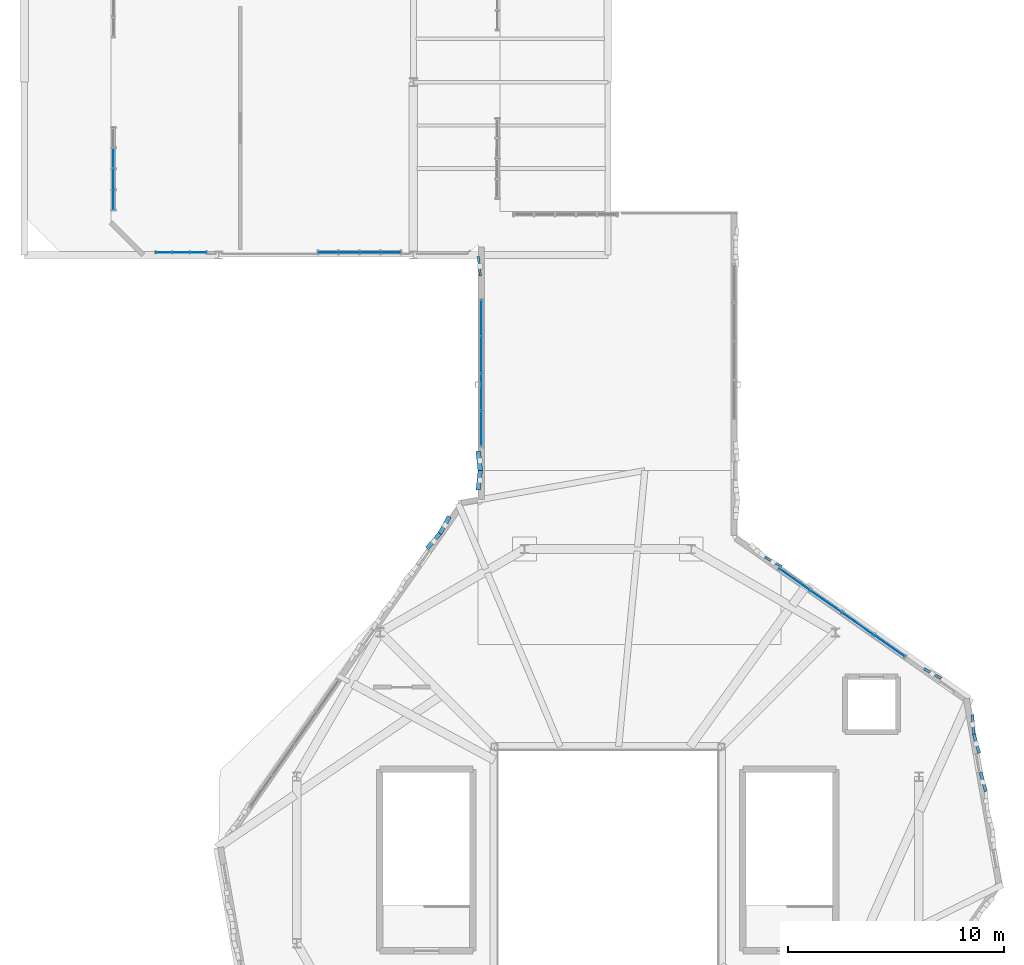
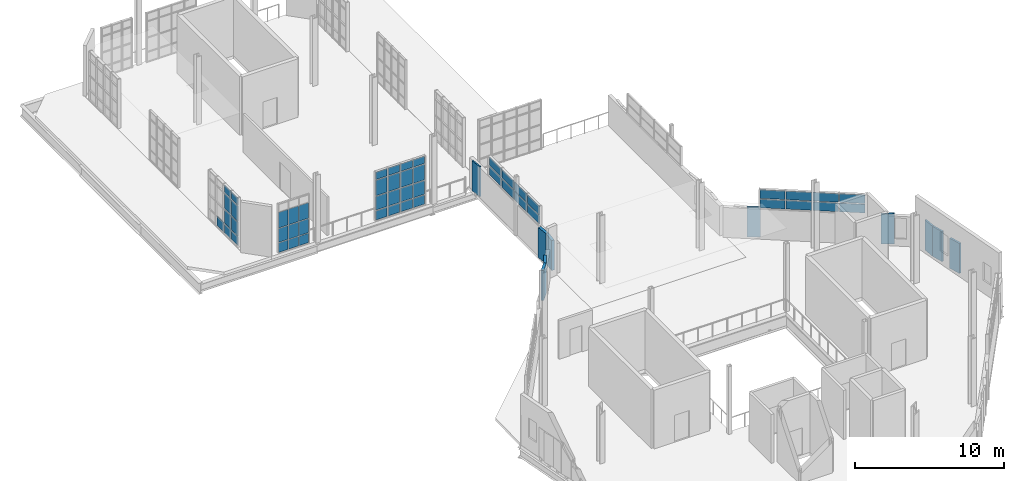
# One storey, part 28 of 36: 60 plates, 5 elements without a shape of their own.
"""IFC4 building model written with IfcOpenShell, lengths in metres."""

from ifc_helpers import new_model, si_unit, direction, frame, frame_2d, origin, origin_2d, place, context, subcontext, project, spatial, rectangle, extrude, material, layer, layer_set, type_object, element, aggregate, save


model = new_model("IFC4")

# Units and contexts
model_context = context("Model", 3, precision=1e-05, world=origin(), true_north=direction((0.0, 1.0)))
body_context = subcontext(model_context, "Body", "Model", "MODEL_VIEW")
ifc_project = project(units=[si_unit("LENGTHUNIT", "METRE"), si_unit("AREAUNIT", "SQUARE_METRE"), si_unit("VOLUMEUNIT", "CUBIC_METRE"), si_unit("PLANEANGLEUNIT", "RADIAN"), si_unit("MASSUNIT", "GRAM", prefix="KILO"), si_unit("THERMODYNAMICTEMPERATUREUNIT", "KELVIN"), si_unit("POWERUNIT", "WATT")], contexts=[model_context])

# Site, building, storey
site_placement = place(None, origin())
site = spatial("IfcSite", under=ifc_project, at=site_placement, CompositionType="ELEMENT")
building_placement = place(site_placement, origin())
building = spatial("IfcBuilding", under=site, at=building_placement, Name="Zelmaris Science Centre", CompositionType="ELEMENT")
storey_placement = place(building_placement, frame((0.0, 0.0, 25.199951171875)))
storey = spatial("IfcBuildingStorey", under=building, at=storey_placement, Name="L05", CompositionType="ELEMENT", Elevation=25.199951171875)

# Curtain wall, plates
ifc_material_1 = material(Name="Anodised architectural aluminium 6063-T6", Category="aluminium")
ifc_layer_1 = layer(ifc_material_1, 0.18994140625, Name="Anodised architectural aluminium 6063-T6")
ifc_layer_set_1 = layer_set([ifc_layer_1], Name="Anodised architectural aluminium 6063-T6")
curtain_wall_type_1 = type_object("IfcCurtainWallType", Name="Curtain Wall CW-01", PredefinedType="USERDEFINED", material=ifc_layer_set_1)
curtain_wall_1_placement = place(storey_placement, origin())
curtain_wall_1 = element("IfcCurtainWall", 1, at=curtain_wall_1_placement, inside=storey, type_object=curtain_wall_type_1, Name="L05 Clerestory curtain wall 369", ObjectType="GLAZED CURTAIN WALL", PredefinedType="USERDEFINED")
ifc_material_2 = material(Name="Laminated hurricane-rated low-E insulated glazing", Category="glass")
ifc_layer_2 = layer(ifc_material_2, 0.031982421875, Name="Laminated hurricane-rated low-E insulated glazing")
ifc_layer_set_2 = layer_set([ifc_layer_2], Name="Laminated hurricane-rated low-E insulated glazing")
plate_type_1 = type_object("IfcPlateType", Name="Curtain Glazing Panel CWP-1 32mm", PredefinedType="CURTAIN_PANEL", material=ifc_layer_set_2)
plate_1_placement = place(storey_placement, frame((89.6318359375, 48.987060546875, 2.4921875), z_axis=(0.0, 0.0, 1.0), x_axis=(0.818852973966, -0.574003316217, 0.0)))
plate_1 = element("IfcPlate", 2, at=plate_1_placement, type_object=plate_type_1, Name="CW-01 panel 1.1", PredefinedType="CURTAIN_PANEL", context=body_context, shape_type="SweptSolid", body=[
    extrude(rectangle(XDim=1.69189453125, YDim=0.031982421875, at=origin_2d()), origin(), (0.0, 0.0, 1.0), 0.701904296875),
])
plate_2_placement = place(storey_placement, frame((89.6318359375, 48.987060546875, 3.26611328125), z_axis=(0.0, 0.0, 1.0), x_axis=(0.818852973966, -0.574003316217, 0.0)))
plate_2 = element("IfcPlate", 3, at=plate_2_placement, type_object=plate_type_1, Name="CW-01 panel 1.2", PredefinedType="CURTAIN_PANEL", context=body_context, shape_type="SweptSolid", body=[
    extrude(rectangle(XDim=1.69189453125, YDim=0.031982421875, at=origin_2d()), origin(), (0.0, 0.0, 1.0), 0.701904296875),
])
plate_3_placement = place(storey_placement, frame((91.091064453125, 47.96435546875, 2.4921875), z_axis=(0.0, 0.0, 1.0), x_axis=(0.818852973966, -0.574003316217, 0.0)))
plate_3 = element("IfcPlate", 4, at=plate_3_placement, type_object=plate_type_1, Name="CW-01 panel 2.1", PredefinedType="CURTAIN_PANEL", context=body_context, shape_type="SweptSolid", body=[
    extrude(rectangle(XDim=1.72802734375, YDim=0.031982421875, at=origin_2d()), origin(), (0.0, 0.0, 1.0), 0.701904296875),
])
plate_4_placement = place(storey_placement, frame((91.091064453125, 47.96435546875, 3.26611328125), z_axis=(0.0, 0.0, 1.0), x_axis=(0.818852973966, -0.574003316217, 0.0)))
plate_4 = element("IfcPlate", 5, at=plate_4_placement, type_object=plate_type_1, Name="CW-01 panel 2.2", PredefinedType="CURTAIN_PANEL", context=body_context, shape_type="SweptSolid", body=[
    extrude(rectangle(XDim=1.72802734375, YDim=0.031982421875, at=origin_2d()), origin(), (0.0, 0.0, 1.0), 0.701904296875),
])
plate_5_placement = place(storey_placement, frame((92.56494140625, 46.93115234375, 2.4921875), z_axis=(0.0, 0.0, 1.0), x_axis=(0.818852973966, -0.574003316217, 0.0)))
plate_5 = element("IfcPlate", 6, at=plate_5_placement, type_object=plate_type_1, Name="CW-01 panel 3.1", PredefinedType="CURTAIN_PANEL", context=body_context, shape_type="SweptSolid", body=[
    extrude(rectangle(XDim=1.72802734375, YDim=0.031982421875, at=origin_2d()), origin(), (0.0, 0.0, 1.0), 0.701904296875),
])
plate_6_placement = place(storey_placement, frame((92.56494140625, 46.93115234375, 3.26611328125), z_axis=(0.0, 0.0, 1.0), x_axis=(0.818852973966, -0.574003316217, 0.0)))
plate_6 = element("IfcPlate", 7, at=plate_6_placement, type_object=plate_type_1, Name="CW-01 panel 3.2", PredefinedType="CURTAIN_PANEL", context=body_context, shape_type="SweptSolid", body=[
    extrude(rectangle(XDim=1.72802734375, YDim=0.031982421875, at=origin_2d()), origin(), (0.0, 0.0, 1.0), 0.701904296875),
])
plate_7_placement = place(storey_placement, frame((94.024169921875, 45.908203125, 2.4921875), z_axis=(0.0, 0.0, 1.0), x_axis=(0.818852973966, -0.574003316217, 0.0)))
plate_7 = element("IfcPlate", 8, at=plate_7_placement, type_object=plate_type_1, Name="CW-01 panel 4.1", PredefinedType="CURTAIN_PANEL", context=body_context, shape_type="SweptSolid", body=[
    extrude(rectangle(XDim=1.69189453125, YDim=0.031982421875, at=origin_2d()), origin(), (0.0, 0.0, 1.0), 0.701904296875),
])
plate_8_placement = place(storey_placement, frame((94.024169921875, 45.908203125, 3.26611328125), z_axis=(0.0, 0.0, 1.0), x_axis=(0.818852973966, -0.574003316217, 0.0)))
plate_8 = element("IfcPlate", 9, at=plate_8_placement, type_object=plate_type_1, Name="CW-01 panel 4.2", PredefinedType="CURTAIN_PANEL", context=body_context, shape_type="SweptSolid", body=[
    extrude(rectangle(XDim=1.69189453125, YDim=0.031982421875, at=origin_2d()), origin(), (0.0, 0.0, 1.0), 0.701904296875),
])
aggregate(curtain_wall_1, [plate_1, plate_2, plate_3, plate_4, plate_5, plate_6, plate_7, plate_8])

curtain_wall_2_placement = place(storey_placement, origin())
curtain_wall_2 = element("IfcCurtainWall", 10, at=curtain_wall_2_placement, inside=storey, type_object=curtain_wall_type_1, Name="L05 Clerestory curtain wall 373", ObjectType="GLAZED CURTAIN WALL", PredefinedType="USERDEFINED")
plate_9_placement = place(storey_placement, frame((75.156494140625, 55.966552734375, 2.4921875), z_axis=(0.0, 0.0, 1.0), x_axis=(0.000378906015, 0.999999928215, 0.0)))
plate_9 = element("IfcPlate", 11, at=plate_9_placement, type_object=plate_type_1, Name="CW-01 panel 1.1", PredefinedType="CURTAIN_PANEL", context=body_context, shape_type="SweptSolid", body=[
    extrude(rectangle(XDim=1.60986328125, YDim=0.031982421875, at=origin_2d()), origin(), (0.0, 0.0, 1.0), 0.701904296875),
])
plate_10_placement = place(storey_placement, frame((75.156494140625, 55.966552734375, 3.26611328125), z_axis=(0.0, 0.0, 1.0), x_axis=(0.000378906015, 0.999999928215, 0.0)))
plate_10 = element("IfcPlate", 12, at=plate_10_placement, type_object=plate_type_1, Name="CW-01 panel 1.2", PredefinedType="CURTAIN_PANEL", context=body_context, shape_type="SweptSolid", body=[
    extrude(rectangle(XDim=1.60986328125, YDim=0.031982421875, at=origin_2d()), origin(), (0.0, 0.0, 1.0), 0.701904296875),
])
plate_11_placement = place(storey_placement, frame((75.1572265625, 57.666259765625, 2.4921875), z_axis=(0.0, 0.0, 1.0), x_axis=(0.000378906015, 0.999999928215, 0.0)))
plate_11 = element("IfcPlate", 13, at=plate_11_placement, type_object=plate_type_1, Name="CW-01 panel 2.1", PredefinedType="CURTAIN_PANEL", context=body_context, shape_type="SweptSolid", body=[
    extrude(rectangle(XDim=1.645751953125, YDim=0.031982421875, at=origin_2d()), origin(), (0.0, 0.0, 1.0), 0.701904296875),
])
plate_12_placement = place(storey_placement, frame((75.1572265625, 57.666259765625, 3.26611328125), z_axis=(0.0, 0.0, 1.0), x_axis=(0.000378906015, 0.999999928215, 0.0)))
plate_12 = element("IfcPlate", 14, at=plate_12_placement, type_object=plate_type_1, Name="CW-01 panel 2.2", PredefinedType="CURTAIN_PANEL", context=body_context, shape_type="SweptSolid", body=[
    extrude(rectangle(XDim=1.645751953125, YDim=0.031982421875, at=origin_2d()), origin(), (0.0, 0.0, 1.0), 0.701904296875),
])
plate_13_placement = place(storey_placement, frame((75.15771484375, 59.38427734375, 2.4921875), z_axis=(0.0, 0.0, 1.0), x_axis=(0.000378906015, 0.999999928215, 0.0)))
plate_13 = element("IfcPlate", 15, at=plate_13_placement, type_object=plate_type_1, Name="CW-01 panel 3.1", PredefinedType="CURTAIN_PANEL", context=body_context, shape_type="SweptSolid", body=[
    extrude(rectangle(XDim=1.645751953125, YDim=0.031982421875, at=origin_2d()), origin(), (0.0, 0.0, 1.0), 0.701904296875),
])
plate_14_placement = place(storey_placement, frame((75.15771484375, 59.38427734375, 3.26611328125), z_axis=(0.0, 0.0, 1.0), x_axis=(0.000378906015, 0.999999928215, 0.0)))
plate_14 = element("IfcPlate", 16, at=plate_14_placement, type_object=plate_type_1, Name="CW-01 panel 3.2", PredefinedType="CURTAIN_PANEL", context=body_context, shape_type="SweptSolid", body=[
    extrude(rectangle(XDim=1.645751953125, YDim=0.031982421875, at=origin_2d()), origin(), (0.0, 0.0, 1.0), 0.701904296875),
])
plate_15_placement = place(storey_placement, frame((75.158447265625, 61.083984375, 2.4921875), z_axis=(0.0, 0.0, 1.0), x_axis=(0.000378906015, 0.999999928215, 0.0)))
plate_15 = element("IfcPlate", 17, at=plate_15_placement, type_object=plate_type_1, Name="CW-01 panel 4.1", PredefinedType="CURTAIN_PANEL", context=body_context, shape_type="SweptSolid", body=[
    extrude(rectangle(XDim=1.60986328125, YDim=0.031982421875, at=origin_2d()), origin(), (0.0, 0.0, 1.0), 0.701904296875),
])
plate_16_placement = place(storey_placement, frame((75.158447265625, 61.083984375, 3.26611328125), z_axis=(0.0, 0.0, 1.0), x_axis=(0.000378906015, 0.999999928215, 0.0)))
plate_16 = element("IfcPlate", 18, at=plate_16_placement, type_object=plate_type_1, Name="CW-01 panel 4.2", PredefinedType="CURTAIN_PANEL", context=body_context, shape_type="SweptSolid", body=[
    extrude(rectangle(XDim=1.60986328125, YDim=0.031982421875, at=origin_2d()), origin(), (0.0, 0.0, 1.0), 0.701904296875),
])
aggregate(curtain_wall_2, [plate_9, plate_10, plate_11, plate_12, plate_13, plate_14, plate_15, plate_16])

curtain_wall_3_placement = place(storey_placement, origin())
curtain_wall_3 = element("IfcCurtainWall", 19, at=curtain_wall_3_placement, inside=storey, type_object=curtain_wall_type_1, Name="L05 Unitised curtain wall 377", ObjectType="GLAZED CURTAIN WALL", PredefinedType="USERDEFINED")
plate_17_placement = place(storey_placement, frame((58.1201171875, 66.5439453125, 0.05712890625), z_axis=(0.0, 0.0, 1.0), x_axis=(0.0, 1.0, 0.0)))
plate_17 = element("IfcPlate", 20, at=plate_17_placement, type_object=plate_type_1, Name="CW-01 panel 1.1", PredefinedType="CURTAIN_PANEL", context=body_context, shape_type="SweptSolid", body=[
    extrude(rectangle(XDim=0.864013671875, YDim=0.031982421875, at=origin_2d()), origin(), (0.0, 0.0, 1.0), 0.741943359375),
])
plate_18_placement = place(storey_placement, frame((58.1201171875, 66.5439453125, 0.87109375), z_axis=(0.0, 0.0, 1.0), x_axis=(0.0, 1.0, 0.0)))
plate_18 = element("IfcPlate", 21, at=plate_18_placement, type_object=plate_type_1, Name="CW-01 panel 1.2", PredefinedType="CURTAIN_PANEL", context=body_context, shape_type="SweptSolid", body=[
    extrude(rectangle(XDim=0.864013671875, YDim=0.031982421875, at=origin_2d()), origin(), (0.0, 0.0, 1.0), 1.10546875),
])
plate_19_placement = place(storey_placement, frame((58.1201171875, 66.5439453125, 2.04833984375), z_axis=(0.0, 0.0, 1.0), x_axis=(0.0, 1.0, 0.0)))
plate_19 = element("IfcPlate", 22, at=plate_19_placement, type_object=plate_type_1, Name="CW-01 panel 1.3", PredefinedType="CURTAIN_PANEL", context=body_context, shape_type="SweptSolid", body=[
    extrude(rectangle(XDim=0.864013671875, YDim=0.031982421875, at=origin_2d()), origin(), (0.0, 0.0, 1.0), 1.255615234375),
])
plate_20_placement = place(storey_placement, frame((58.1201171875, 66.5439453125, 3.3759765625), z_axis=(0.0, 0.0, 1.0), x_axis=(0.0, 1.0, 0.0)))
plate_20 = element("IfcPlate", 23, at=plate_20_placement, type_object=plate_type_1, Name="CW-01 panel 1.4", PredefinedType="CURTAIN_PANEL", context=body_context, shape_type="SweptSolid", body=[
    extrude(rectangle(XDim=0.864013671875, YDim=0.031982421875, at=origin_2d()), origin(), (0.0, 0.0, 1.0), 0.592041015625),
])
plate_21_placement = place(storey_placement, frame((58.1201171875, 67.497802734375, 0.05712890625), z_axis=(0.0, 0.0, 1.0), x_axis=(0.0, 1.0, 0.0)))
plate_21 = element("IfcPlate", 24, at=plate_21_placement, type_object=plate_type_1, Name="CW-01 panel 2.1", PredefinedType="CURTAIN_PANEL", context=body_context, shape_type="SweptSolid", body=[
    extrude(rectangle(XDim=0.89990234375, YDim=0.031982421875, at=origin_2d()), origin(), (0.0, 0.0, 1.0), 0.741943359375),
])
plate_22_placement = place(storey_placement, frame((58.1201171875, 67.497802734375, 0.87109375), z_axis=(0.0, 0.0, 1.0), x_axis=(0.0, 1.0, 0.0)))
plate_22 = element("IfcPlate", 25, at=plate_22_placement, type_object=plate_type_1, Name="CW-01 panel 2.2", PredefinedType="CURTAIN_PANEL", context=body_context, shape_type="SweptSolid", body=[
    extrude(rectangle(XDim=0.89990234375, YDim=0.031982421875, at=origin_2d()), origin(), (0.0, 0.0, 1.0), 1.10546875),
])
plate_23_placement = place(storey_placement, frame((58.1201171875, 67.497802734375, 2.04833984375), z_axis=(0.0, 0.0, 1.0), x_axis=(0.0, 1.0, 0.0)))
plate_23 = element("IfcPlate", 26, at=plate_23_placement, type_object=plate_type_1, Name="CW-01 panel 2.3", PredefinedType="CURTAIN_PANEL", context=body_context, shape_type="SweptSolid", body=[
    extrude(rectangle(XDim=0.89990234375, YDim=0.031982421875, at=origin_2d()), origin(), (0.0, 0.0, 1.0), 1.255615234375),
])
plate_24_placement = place(storey_placement, frame((58.1201171875, 67.497802734375, 3.3759765625), z_axis=(0.0, 0.0, 1.0), x_axis=(0.0, 1.0, 0.0)))
plate_24 = element("IfcPlate", 27, at=plate_24_placement, type_object=plate_type_1, Name="CW-01 panel 2.4", PredefinedType="CURTAIN_PANEL", context=body_context, shape_type="SweptSolid", body=[
    extrude(rectangle(XDim=0.89990234375, YDim=0.031982421875, at=origin_2d()), origin(), (0.0, 0.0, 1.0), 0.592041015625),
])
plate_25_placement = place(storey_placement, frame((58.1201171875, 68.4697265625, 0.05712890625), z_axis=(0.0, 0.0, 1.0), x_axis=(0.0, 1.0, 0.0)))
plate_25 = element("IfcPlate", 28, at=plate_25_placement, type_object=plate_type_1, Name="CW-01 panel 3.1", PredefinedType="CURTAIN_PANEL", context=body_context, shape_type="SweptSolid", body=[
    extrude(rectangle(XDim=0.89990234375, YDim=0.031982421875, at=origin_2d()), origin(), (0.0, 0.0, 1.0), 0.741943359375),
])
aggregate(curtain_wall_3, [plate_17, plate_18, plate_19, plate_20, plate_21, plate_22, plate_23, plate_24, plate_25])

ifc_layer_3 = layer(ifc_material_1, 0.199951171875, Name="Anodised architectural aluminium 6063-T6")
ifc_layer_set_3 = layer_set([ifc_layer_3], Name="Anodised architectural aluminium 6063-T6")
curtain_wall_type_2 = type_object("IfcCurtainWallType", Name="Curtain Wall CW-02", PredefinedType="USERDEFINED", material=ifc_layer_set_3)
curtain_wall_4_placement = place(storey_placement, origin())
curtain_wall_4 = element("IfcCurtainWall", 29, at=curtain_wall_4_placement, inside=storey, type_object=curtain_wall_type_2, Name="L05 Unitised curtain wall 374", ObjectType="GLAZED CURTAIN WALL", PredefinedType="USERDEFINED")
ifc_layer_4 = layer(ifc_material_2, 0.028076171875, Name="Laminated hurricane-rated low-E insulated glazing")
ifc_layer_set_4 = layer_set([ifc_layer_4], Name="Laminated hurricane-rated low-E insulated glazing")
plate_type_2 = type_object("IfcPlateType", Name="Curtain Glazing Panel CWP-2 28mm", PredefinedType="CURTAIN_PANEL", material=ifc_layer_set_4)
plate_26_placement = place(storey_placement, frame((70.955810546875, 64.1201171875, 0.052001953125), z_axis=(0.0, 0.0, 1.0), x_axis=(-1.0, 0.0, 0.0)))
plate_26 = element("IfcPlate", 30, at=plate_26_placement, type_object=plate_type_2, Name="CW-02 panel 1.1", PredefinedType="CURTAIN_PANEL", context=body_context, shape_type="SweptSolid", body=[
    extrude(rectangle(XDim=0.87451171875, YDim=0.028076171875, at=origin_2d()), origin(), (0.0, 0.0, 1.0), 0.74951171875),
])
plate_27_placement = place(storey_placement, frame((70.955810546875, 64.1201171875, 0.86865234375), z_axis=(0.0, 0.0, 1.0), x_axis=(-1.0, 0.0, 0.0)))
plate_27 = element("IfcPlate", 31, at=plate_27_placement, type_object=plate_type_2, Name="CW-02 panel 1.2", PredefinedType="CURTAIN_PANEL", context=body_context, shape_type="SweptSolid", body=[
    extrude(rectangle(XDim=0.87451171875, YDim=0.028076171875, at=origin_2d()), origin(), (0.0, 0.0, 1.0), 1.110595703125),
])
plate_28_placement = place(storey_placement, frame((70.955810546875, 64.1201171875, 2.0458984375), z_axis=(0.0, 0.0, 1.0), x_axis=(-1.0, 0.0, 0.0)))
plate_28 = element("IfcPlate", 32, at=plate_28_placement, type_object=plate_type_2, Name="CW-02 panel 1.3", PredefinedType="CURTAIN_PANEL", context=body_context, shape_type="SweptSolid", body=[
    extrude(rectangle(XDim=0.87451171875, YDim=0.028076171875, at=origin_2d()), origin(), (0.0, 0.0, 1.0), 1.260498046875),
])
plate_29_placement = place(storey_placement, frame((70.955810546875, 64.1201171875, 3.37353515625), z_axis=(0.0, 0.0, 1.0), x_axis=(-1.0, 0.0, 0.0)))
plate_29 = element("IfcPlate", 33, at=plate_29_placement, type_object=plate_type_2, Name="CW-02 panel 1.4", PredefinedType="CURTAIN_PANEL", context=body_context, shape_type="SweptSolid", body=[
    extrude(rectangle(XDim=0.87451171875, YDim=0.028076171875, at=origin_2d()), origin(), (0.0, 0.0, 1.0), 0.599609375),
])
plate_30_placement = place(storey_placement, frame((69.99755859375, 64.1201171875, 0.052001953125), z_axis=(0.0, 0.0, 1.0), x_axis=(-1.0, 0.0, 0.0)))
plate_30 = element("IfcPlate", 34, at=plate_30_placement, type_object=plate_type_2, Name="CW-02 panel 2.1", PredefinedType="CURTAIN_PANEL", context=body_context, shape_type="SweptSolid", body=[
    extrude(rectangle(XDim=0.907958984375, YDim=0.028076171875, at=origin_2d()), origin(), (0.0, 0.0, 1.0), 0.74951171875),
])
plate_31_placement = place(storey_placement, frame((69.99755859375, 64.1201171875, 0.86865234375), z_axis=(0.0, 0.0, 1.0), x_axis=(-1.0, 0.0, 0.0)))
plate_31 = element("IfcPlate", 35, at=plate_31_placement, type_object=plate_type_2, Name="CW-02 panel 2.2", PredefinedType="CURTAIN_PANEL", context=body_context, shape_type="SweptSolid", body=[
    extrude(rectangle(XDim=0.907958984375, YDim=0.028076171875, at=origin_2d()), origin(), (0.0, 0.0, 1.0), 1.110595703125),
])
plate_32_placement = place(storey_placement, frame((69.99755859375, 64.1201171875, 2.0458984375), z_axis=(0.0, 0.0, 1.0), x_axis=(-1.0, 0.0, 0.0)))
plate_32 = element("IfcPlate", 36, at=plate_32_placement, type_object=plate_type_2, Name="CW-02 panel 2.3", PredefinedType="CURTAIN_PANEL", context=body_context, shape_type="SweptSolid", body=[
    extrude(rectangle(XDim=0.907958984375, YDim=0.028076171875, at=origin_2d()), origin(), (0.0, 0.0, 1.0), 1.260498046875),
])
plate_33_placement = place(storey_placement, frame((69.99755859375, 64.1201171875, 3.37353515625), z_axis=(0.0, 0.0, 1.0), x_axis=(-1.0, 0.0, 0.0)))
plate_33 = element("IfcPlate", 37, at=plate_33_placement, type_object=plate_type_2, Name="CW-02 panel 2.4", PredefinedType="CURTAIN_PANEL", context=body_context, shape_type="SweptSolid", body=[
    extrude(rectangle(XDim=0.907958984375, YDim=0.028076171875, at=origin_2d()), origin(), (0.0, 0.0, 1.0), 0.599609375),
])
plate_34_placement = place(storey_placement, frame((69.0224609375, 64.1201171875, 0.052001953125), z_axis=(0.0, 0.0, 1.0), x_axis=(-1.0, 0.0, 0.0)))
plate_34 = element("IfcPlate", 38, at=plate_34_placement, type_object=plate_type_2, Name="CW-02 panel 3.1", PredefinedType="CURTAIN_PANEL", context=body_context, shape_type="SweptSolid", body=[
    extrude(rectangle(XDim=0.907958984375, YDim=0.028076171875, at=origin_2d()), origin(), (0.0, 0.0, 1.0), 0.74951171875),
])
plate_35_placement = place(storey_placement, frame((69.0224609375, 64.1201171875, 0.86865234375), z_axis=(0.0, 0.0, 1.0), x_axis=(-1.0, 0.0, 0.0)))
plate_35 = element("IfcPlate", 39, at=plate_35_placement, type_object=plate_type_2, Name="CW-02 panel 3.2", PredefinedType="CURTAIN_PANEL", context=body_context, shape_type="SweptSolid", body=[
    extrude(rectangle(XDim=0.907958984375, YDim=0.028076171875, at=origin_2d()), origin(), (0.0, 0.0, 1.0), 1.110595703125),
])
plate_36_placement = place(storey_placement, frame((69.0224609375, 64.1201171875, 2.0458984375), z_axis=(0.0, 0.0, 1.0), x_axis=(-1.0, 0.0, 0.0)))
plate_36 = element("IfcPlate", 40, at=plate_36_placement, type_object=plate_type_2, Name="CW-02 panel 3.3", PredefinedType="CURTAIN_PANEL", context=body_context, shape_type="SweptSolid", body=[
    extrude(rectangle(XDim=0.907958984375, YDim=0.028076171875, at=origin_2d()), origin(), (0.0, 0.0, 1.0), 1.260498046875),
])
plate_37_placement = place(storey_placement, frame((69.0224609375, 64.1201171875, 3.37353515625), z_axis=(0.0, 0.0, 1.0), x_axis=(-1.0, 0.0, 0.0)))
plate_37 = element("IfcPlate", 41, at=plate_37_placement, type_object=plate_type_2, Name="CW-02 panel 3.4", PredefinedType="CURTAIN_PANEL", context=body_context, shape_type="SweptSolid", body=[
    extrude(rectangle(XDim=0.907958984375, YDim=0.028076171875, at=origin_2d()), origin(), (0.0, 0.0, 1.0), 0.599609375),
])
plate_38_placement = place(storey_placement, frame((68.064208984375, 64.1201171875, 0.052001953125), z_axis=(0.0, 0.0, 1.0), x_axis=(-1.0, 0.0, 0.0)))
plate_38 = element("IfcPlate", 42, at=plate_38_placement, type_object=plate_type_2, Name="CW-02 panel 4.1", PredefinedType="CURTAIN_PANEL", context=body_context, shape_type="SweptSolid", body=[
    extrude(rectangle(XDim=0.87451171875, YDim=0.028076171875, at=origin_2d()), origin(), (0.0, 0.0, 1.0), 0.74951171875),
])
plate_39_placement = place(storey_placement, frame((68.064208984375, 64.1201171875, 0.86865234375), z_axis=(0.0, 0.0, 1.0), x_axis=(-1.0, 0.0, 0.0)))
plate_39 = element("IfcPlate", 43, at=plate_39_placement, type_object=plate_type_2, Name="CW-02 panel 4.2", PredefinedType="CURTAIN_PANEL", context=body_context, shape_type="SweptSolid", body=[
    extrude(rectangle(XDim=0.87451171875, YDim=0.028076171875, at=origin_2d()), origin(), (0.0, 0.0, 1.0), 1.110595703125),
])
plate_40_placement = place(storey_placement, frame((68.064208984375, 64.1201171875, 2.0458984375), z_axis=(0.0, 0.0, 1.0), x_axis=(-1.0, 0.0, 0.0)))
plate_40 = element("IfcPlate", 44, at=plate_40_placement, type_object=plate_type_2, Name="CW-02 panel 4.3", PredefinedType="CURTAIN_PANEL", context=body_context, shape_type="SweptSolid", body=[
    extrude(rectangle(XDim=0.87451171875, YDim=0.028076171875, at=origin_2d()), origin(), (0.0, 0.0, 1.0), 1.260498046875),
])
plate_41_placement = place(storey_placement, frame((68.064208984375, 64.1201171875, 3.37353515625), z_axis=(0.0, 0.0, 1.0), x_axis=(-1.0, 0.0, 0.0)))
plate_41 = element("IfcPlate", 45, at=plate_41_placement, type_object=plate_type_2, Name="CW-02 panel 4.4", PredefinedType="CURTAIN_PANEL", context=body_context, shape_type="SweptSolid", body=[
    extrude(rectangle(XDim=0.87451171875, YDim=0.028076171875, at=origin_2d()), origin(), (0.0, 0.0, 1.0), 0.599609375),
])
aggregate(curtain_wall_4, [plate_26, plate_27, plate_28, plate_29, plate_30, plate_31, plate_32, plate_33, plate_34, plate_35, plate_36, plate_37, plate_38, plate_39, plate_40, plate_41])

ifc_layer_5 = layer(ifc_material_1, 0.219970703125, Name="Anodised architectural aluminium 6063-T6")
ifc_layer_set_5 = layer_set([ifc_layer_5], Name="Anodised architectural aluminium 6063-T6")
curtain_wall_type_3 = type_object("IfcCurtainWallType", Name="Curtain Wall CW-04", PredefinedType="USERDEFINED", material=ifc_layer_set_5)
curtain_wall_5_placement = place(storey_placement, origin())
curtain_wall_5 = element("IfcCurtainWall", 46, at=curtain_wall_5_placement, inside=storey, type_object=curtain_wall_type_3, Name="L05 Unitised curtain wall 376", ObjectType="GLAZED CURTAIN WALL", PredefinedType="USERDEFINED")
ifc_layer_6 = layer(ifc_material_2, 0.02392578125, Name="Laminated hurricane-rated low-E insulated glazing")
ifc_layer_set_6 = layer_set([ifc_layer_6], Name="Laminated hurricane-rated low-E insulated glazing")
plate_type_3 = type_object("IfcPlateType", Name="Curtain Glazing Panel CWP-4 24mm", PredefinedType="CURTAIN_PANEL", material=ifc_layer_set_6)
plate_42_placement = place(storey_placement, frame((62.043701171875, 64.1201171875, 0.037109375), z_axis=(0.0, 0.0, 1.0), x_axis=(-1.0, 0.0, 0.0)))
plate_42 = element("IfcPlate", 47, at=plate_42_placement, type_object=plate_type_3, Name="CW-04 panel 1.1", PredefinedType="CURTAIN_PANEL", context=body_context, shape_type="SweptSolid", body=[
    extrude(rectangle(XDim=0.728759765625, YDim=0.02392578125, at=origin_2d()), origin(), (0.0, 0.0, 1.0), 0.77197265625),
])
plate_43_placement = place(storey_placement, frame((62.043701171875, 64.1201171875, 0.861083984375), z_axis=(0.0, 0.0, 1.0), x_axis=(-1.0, 0.0, 0.0)))
plate_43 = element("IfcPlate", 48, at=plate_43_placement, type_object=plate_type_3, Name="CW-04 panel 1.2", PredefinedType="CURTAIN_PANEL", context=body_context, shape_type="SweptSolid", body=[
    extrude(rectangle(XDim=0.728759765625, YDim=0.02392578125, at=origin_2d()), origin(), (0.0, 0.0, 1.0), 1.12548828125),
])
plate_44_placement = place(storey_placement, frame((62.043701171875, 64.1201171875, 2.03857421875), z_axis=(0.0, 0.0, 1.0), x_axis=(-1.0, 0.0, 0.0)))
plate_44 = element("IfcPlate", 49, at=plate_44_placement, type_object=plate_type_3, Name="CW-04 panel 1.3", PredefinedType="CURTAIN_PANEL", context=body_context, shape_type="SweptSolid", body=[
    extrude(rectangle(XDim=0.728759765625, YDim=0.02392578125, at=origin_2d()), origin(), (0.0, 0.0, 1.0), 1.275390625),
])
plate_45_placement = place(storey_placement, frame((61.25, 64.1201171875, 0.037109375), z_axis=(0.0, 0.0, 1.0), x_axis=(-1.0, 0.0, 0.0)))
plate_45 = element("IfcPlate", 50, at=plate_45_placement, type_object=plate_type_3, Name="CW-04 panel 2.1", PredefinedType="CURTAIN_PANEL", context=body_context, shape_type="SweptSolid", body=[
    extrude(rectangle(XDim=0.754638671875, YDim=0.02392578125, at=origin_2d()), origin(), (0.0, 0.0, 1.0), 0.77197265625),
])
plate_46_placement = place(storey_placement, frame((61.25, 64.1201171875, 0.861083984375), z_axis=(0.0, 0.0, 1.0), x_axis=(-1.0, 0.0, 0.0)))
plate_46 = element("IfcPlate", 51, at=plate_46_placement, type_object=plate_type_3, Name="CW-04 panel 2.2", PredefinedType="CURTAIN_PANEL", context=body_context, shape_type="SweptSolid", body=[
    extrude(rectangle(XDim=0.754638671875, YDim=0.02392578125, at=origin_2d()), origin(), (0.0, 0.0, 1.0), 1.12548828125),
])
plate_47_placement = place(storey_placement, frame((61.25, 64.1201171875, 2.03857421875), z_axis=(0.0, 0.0, 1.0), x_axis=(-1.0, 0.0, 0.0)))
plate_47 = element("IfcPlate", 52, at=plate_47_placement, type_object=plate_type_3, Name="CW-04 panel 2.3", PredefinedType="CURTAIN_PANEL", context=body_context, shape_type="SweptSolid", body=[
    extrude(rectangle(XDim=0.754638671875, YDim=0.02392578125, at=origin_2d()), origin(), (0.0, 0.0, 1.0), 1.275390625),
])
plate_48_placement = place(storey_placement, frame((60.456298828125, 64.1201171875, 0.037109375), z_axis=(0.0, 0.0, 1.0), x_axis=(-1.0, 0.0, 0.0)))
plate_48 = element("IfcPlate", 53, at=plate_48_placement, type_object=plate_type_3, Name="CW-04 panel 3.1", PredefinedType="CURTAIN_PANEL", context=body_context, shape_type="SweptSolid", body=[
    extrude(rectangle(XDim=0.728759765625, YDim=0.02392578125, at=origin_2d()), origin(), (0.0, 0.0, 1.0), 0.77197265625),
])
plate_49_placement = place(storey_placement, frame((60.456298828125, 64.1201171875, 0.861083984375), z_axis=(0.0, 0.0, 1.0), x_axis=(-1.0, 0.0, 0.0)))
plate_49 = element("IfcPlate", 54, at=plate_49_placement, type_object=plate_type_3, Name="CW-04 panel 3.2", PredefinedType="CURTAIN_PANEL", context=body_context, shape_type="SweptSolid", body=[
    extrude(rectangle(XDim=0.728759765625, YDim=0.02392578125, at=origin_2d()), origin(), (0.0, 0.0, 1.0), 1.12548828125),
])
plate_50_placement = place(storey_placement, frame((60.456298828125, 64.1201171875, 2.03857421875), z_axis=(0.0, 0.0, 1.0), x_axis=(-1.0, 0.0, 0.0)))
plate_50 = element("IfcPlate", 55, at=plate_50_placement, type_object=plate_type_3, Name="CW-04 panel 3.3", PredefinedType="CURTAIN_PANEL", context=body_context, shape_type="SweptSolid", body=[
    extrude(rectangle(XDim=0.728759765625, YDim=0.02392578125, at=origin_2d()), origin(), (0.0, 0.0, 1.0), 1.275390625),
])
aggregate(curtain_wall_5, [plate_42, plate_43, plate_44, plate_45, plate_46, plate_47, plate_48, plate_49, plate_50])

# Plates
ifc_material_3 = material(Name="Precast concrete C40/50", Category="concrete")
ifc_layer_7 = layer(ifc_material_3, 0.110107421875, Name="Precast concrete C40/50")
ifc_layer_set_7 = layer_set([ifc_layer_7], Name="Precast concrete C40/50")
plate_type_4 = type_object("IfcPlateType", Name="Precast Facet Panel FP-01 110mm", PredefinedType="SHEET", material=ifc_layer_set_7)
plate_51_placement = place(storey_placement, frame((88.263916015625, 50.019287109375, 0.02001953125), z_axis=(0.0, 0.0, 1.0), x_axis=(0.872740608344, -0.48818421784, 0.0)))
element("IfcPlate", 56, at=plate_51_placement, inside=storey, type_object=plate_type_4, Name="L05 Folded precast facet panel 228", PredefinedType="SHEET", context=body_context, shape_type="SweptSolid", body=[
    extrude(rectangle(XDim=0.90478515625, YDim=0.110107421875, at=frame_2d((0.452392578125, 0.0))), origin(), (0.0, 0.0, 1.0), 2.4599609375),
])
plate_52_placement = place(storey_placement, frame((75.09912109375, 63.025390625, 0.02001953125), z_axis=(0.0, 0.0, 1.0), x_axis=(-0.100679531307, 0.994918907236, 0.0)))
element("IfcPlate", 57, at=plate_52_placement, inside=storey, type_object=plate_type_4, Name="L05 Folded precast facet panel 276", PredefinedType="SHEET", context=body_context, shape_type="SweptSolid", body=[
    extrude(rectangle(XDim=0.904541015625, YDim=0.110107421875, at=frame_2d((0.4521484375, 0.0))), origin(), (0.0, 0.0, 1.0), 2.4599609375),
])
ifc_layer_8 = layer(ifc_material_3, 0.1201171875, Name="Precast concrete C40/50")
ifc_layer_set_8 = layer_set([ifc_layer_8], Name="Precast concrete C40/50")
plate_type_5 = type_object("IfcPlateType", Name="Precast Facet Panel FP-02 120mm", PredefinedType="SHEET", material=ifc_layer_set_8)
plate_53_placement = place(storey_placement, frame((95.633544921875, 44.853271484375, 0.02001953125), z_axis=(0.0, 0.0, 1.0), x_axis=(0.872740608344, -0.48818421784, 0.0)))
element("IfcPlate", 58, at=plate_53_placement, inside=storey, type_object=plate_type_5, Name="L05 Folded precast facet panel 229", PredefinedType="SHEET", context=body_context, shape_type="SweptSolid", body=[
    extrude(rectangle(XDim=0.90478515625, YDim=0.1201171875, at=frame_2d((0.452392578125, 0.0))), origin(), (0.0, 0.0, 1.0), 2.4599609375),
])
ifc_layer_9 = layer(ifc_material_3, 0.1298828125, Name="Precast concrete C40/50")
ifc_layer_set_9 = layer_set([ifc_layer_9], Name="Precast concrete C40/50")
plate_type_6 = type_object("IfcPlateType", Name="Precast Facet Panel FP-03 130mm", PredefinedType="SHEET", material=ifc_layer_set_9)
plate_54_placement = place(storey_placement, frame((97.87060546875, 42.723388671875, 0.02001953125), z_axis=(0.0, 0.0, 1.0), x_axis=(0.072877413961, -0.997340905876, 0.0)))
element("IfcPlate", 59, at=plate_54_placement, inside=storey, type_object=plate_type_6, Name="L05 Folded precast facet panel 230", PredefinedType="SHEET", context=body_context, shape_type="SweptSolid", body=[
    extrude(rectangle(XDim=0.904541015625, YDim=0.1298828125, at=frame_2d((0.4521484375, 0.0))), origin(), (0.0, 0.0, 1.0), 2.4599609375),
])
ifc_layer_10 = layer(ifc_material_3, 0.139892578125, Name="Precast concrete C40/50")
ifc_layer_set_10 = layer_set([ifc_layer_10], Name="Precast concrete C40/50")
plate_type_7 = type_object("IfcPlateType", Name="Precast Facet Panel FP-04 140mm", PredefinedType="SHEET", material=ifc_layer_set_10)
plate_55_placement = place(storey_placement, frame((97.9365234375, 41.8212890625, 0.02001953125), z_axis=(0.0, 0.0, 1.0), x_axis=(0.272581753447, -0.962132624791, 0.0)))
element("IfcPlate", 60, at=plate_55_placement, inside=storey, type_object=plate_type_7, Name="L05 Folded precast facet panel 231", PredefinedType="SHEET", context=body_context, shape_type="SweptSolid", body=[
    extrude(rectangle(XDim=0.904541015625, YDim=0.139892578125, at=frame_2d((0.4521484375, 0.0))), origin(), (0.0, 0.0, 1.0), 2.4599609375),
])
ifc_layer_11 = layer(ifc_material_3, 0.14990234375, Name="Precast concrete C40/50")
ifc_layer_set_11 = layer_set([ifc_layer_11], Name="Precast concrete C40/50")
plate_type_8 = type_object("IfcPlateType", Name="Precast Facet Panel FP-05 150mm", PredefinedType="SHEET", material=ifc_layer_set_11)
plate_56_placement = place(storey_placement, frame((98.249267578125, 40.048583984375, 0.02001953125), z_axis=(0.0, 0.0, 1.0), x_axis=(0.272331895481, -0.962203376997, 0.0)))
element("IfcPlate", 61, at=plate_56_placement, inside=storey, type_object=plate_type_8, Name="L05 Folded precast facet panel 232", PredefinedType="SHEET", context=body_context, shape_type="SweptSolid", body=[
    extrude(rectangle(XDim=0.904541015625, YDim=0.14990234375, at=frame_2d((0.4521484375, 0.0))), origin(), (0.0, 0.0, 1.0), 2.4599609375),
])
ifc_layer_12 = layer(ifc_material_3, 0.18994140625, Name="Precast concrete C40/50")
ifc_layer_set_12 = layer_set([ifc_layer_12], Name="Precast concrete C40/50")
plate_type_9 = type_object("IfcPlateType", Name="Precast Facet Panel FP-09 190mm", PredefinedType="SHEET", material=ifc_layer_set_12)
plate_57_placement = place(storey_placement, frame((72.634521484375, 50.42578125, 0.02001953125), z_axis=(0.0, 0.0, 1.0), x_axis=(0.653387963427, 0.757023229002, 0.0)))
element("IfcPlate", 62, at=plate_57_placement, inside=storey, type_object=plate_type_9, Name="L05 Folded precast facet panel 272", PredefinedType="SHEET", context=body_context, shape_type="SweptSolid", body=[
    extrude(rectangle(XDim=0.904541015625, YDim=0.18994140625, at=frame_2d((0.4521484375, 0.0))), origin(), (0.0, 0.0, 1.0), 2.4599609375),
])
ifc_layer_13 = layer(ifc_material_3, 0.199951171875, Name="Precast concrete C40/50")
ifc_layer_set_13 = layer_set([ifc_layer_13], Name="Precast concrete C40/50")
plate_type_10 = type_object("IfcPlateType", Name="Precast Facet Panel FP-10 200mm", PredefinedType="SHEET", material=ifc_layer_set_13)
plate_58_placement = place(storey_placement, frame((73.2255859375, 51.110595703125, 0.02001953125), z_axis=(0.0, 0.0, 1.0), x_axis=(0.4878636913, 0.872919823759, 0.0)))
element("IfcPlate", 63, at=plate_58_placement, inside=storey, type_object=plate_type_10, Name="L05 Folded precast facet panel 273", PredefinedType="SHEET", context=body_context, shape_type="SweptSolid", body=[
    extrude(rectangle(XDim=0.90478515625, YDim=0.199951171875, at=frame_2d((0.452392578125, 0.0))), origin(), (0.0, 0.0, 1.0), 2.4599609375),
])
ifc_layer_14 = layer(ifc_material_3, 0.2099609375, Name="Precast concrete C40/50")
ifc_layer_set_14 = layer_set([ifc_layer_14], Name="Precast concrete C40/50")
plate_type_11 = type_object("IfcPlateType", Name="Precast Facet Panel FP-11 210mm", PredefinedType="SHEET", material=ifc_layer_set_14)
plate_59_placement = place(storey_placement, frame((75.00390625, 53.12548828125, 0.02001953125), z_axis=(0.0, 0.0, 1.0), x_axis=(0.101480980007, 0.99483747954, 0.0)))
element("IfcPlate", 64, at=plate_59_placement, inside=storey, type_object=plate_type_11, Name="L05 Folded precast facet panel 274", PredefinedType="SHEET", context=body_context, shape_type="SweptSolid", body=[
    extrude(rectangle(XDim=0.904541015625, YDim=0.2099609375, at=frame_2d((0.4521484375, 0.0))), origin(), (0.0, 0.0, 1.0), 2.4599609375),
])
ifc_layer_15 = layer(ifc_material_3, 0.219970703125, Name="Precast concrete C40/50")
ifc_layer_set_15 = layer_set([ifc_layer_15], Name="Precast concrete C40/50")
plate_type_12 = type_object("IfcPlateType", Name="Precast Facet Panel FP-12 220mm", PredefinedType="SHEET", material=ifc_layer_set_15)
plate_60_placement = place(storey_placement, frame((75.095703125, 54.025390625, 0.02001953125), z_axis=(0.0, 0.0, 1.0), x_axis=(-0.10094670273, 0.994891834929, 0.0)))
element("IfcPlate", 65, at=plate_60_placement, inside=storey, type_object=plate_type_12, Name="L05 Folded precast facet panel 275", PredefinedType="SHEET", context=body_context, shape_type="SweptSolid", body=[
    extrude(rectangle(XDim=0.904541015625, YDim=0.219970703125, at=frame_2d((0.4521484375, 0.0))), origin(), (0.0, 0.0, 1.0), 2.4599609375),
])

save(model, "model.ifc")
